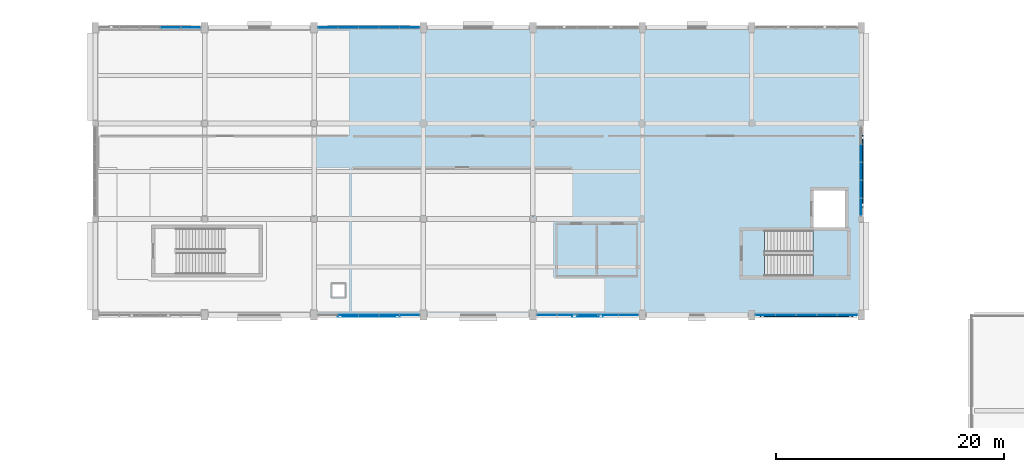
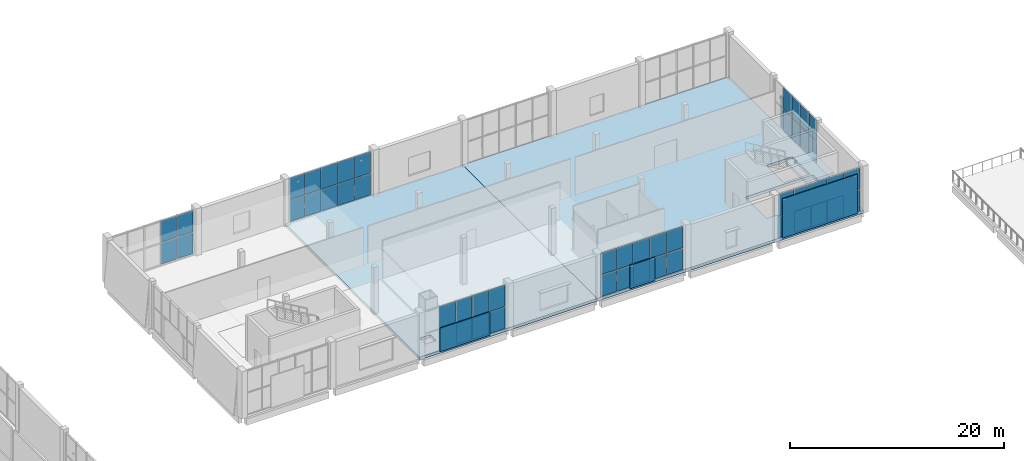
# One storey, part 49 of 83: 54 plates, 3 slabs, 7 elements without a shape of their own.
"""IFC4 building model written with IfcOpenShell, lengths in metres."""

from ifc_helpers import new_model, si_unit, direction, frame, origin, origin_2d, place, context, subcontext, project, spatial, polyline, rectangle, outline, extrude, material, layer, layer_set, type_object, element, aggregate, save


model = new_model("IFC4")

# Units and contexts
model_context = context("Model", 3, precision=1e-05, world=origin(), true_north=direction((0.0, 1.0)))
body_context = subcontext(model_context, "Body", "Model", "MODEL_VIEW")
ifc_project = project(units=[si_unit("LENGTHUNIT", "METRE"), si_unit("AREAUNIT", "SQUARE_METRE"), si_unit("VOLUMEUNIT", "CUBIC_METRE"), si_unit("PLANEANGLEUNIT", "RADIAN"), si_unit("MASSUNIT", "GRAM", prefix="KILO")], contexts=[model_context])

# Site, building, storey
site_placement = place(None, origin())
site = spatial("IfcSite", under=ifc_project, at=site_placement, CompositionType="ELEMENT")
building_placement = place(site_placement, origin())
building = spatial("IfcBuilding", under=site, at=building_placement, Name="Shalvenor Court Art Gallery", CompositionType="ELEMENT")
storey_placement = place(building_placement, frame((0.0, 0.0, 6.0)))
storey = spatial("IfcBuildingStorey", under=building, at=storey_placement, Name="L01", CompositionType="ELEMENT", Elevation=6.0)

# Curtain wall, plates
ifc_material_1 = material(Name="Anodised aluminium and low-iron glass curtain wall", Category="aluminium")
curtain_wall_type_1 = type_object("IfcCurtainWallType", Name="CW-5x2-90-51-442", PredefinedType="USERDEFINED", material=ifc_material_1)
curtain_wall_1_placement = place(storey_placement, origin())
curtain_wall_1 = element("IfcCurtainWall", 1, at=curtain_wall_1_placement, inside=storey, type_object=curtain_wall_type_1, Name="L01 V2 Curtain Wall CW-L01-062", ObjectType="CURTAIN WALL", PredefinedType="USERDEFINED")
ifc_material_2 = material(Name="Low-iron triple-silver solar gallery glazing IGU", Category="glass")
ifc_layer_1 = layer(ifc_material_2, 0.031982421875, Name="Low-iron triple-silver solar gallery glazing IGU")
ifc_layer_set_1 = layer_set([ifc_layer_1], Name="Low-iron triple-silver solar gallery glazing IGU")
plate_type_1 = type_object("IfcPlateType", Name="CWP-02", PredefinedType="CURTAIN_PANEL", material=ifc_layer_set_1)
plate_1_placement = place(storey_placement, frame((64.199951171875, 122.39990234375, 0.070068359375), z_axis=(0.0, 0.0, 1.0), x_axis=(1.0, 0.0, 0.0)))
plate_1 = element("IfcPlate", 2, at=plate_1_placement, type_object=plate_type_1, Name="CW-5x2-90-51-442 panel 4.1", PredefinedType="CURTAIN_PANEL", context=body_context, shape_type="SweptSolid", body=[
    extrude(rectangle(XDim=1.72509765625, YDim=0.031982421875, at=origin_2d()), origin(), (0.0, 0.0, 1.0), 2.43505859375),
])
plate_2_placement = place(storey_placement, frame((64.199951171875, 122.39990234375, 2.574951171875), z_axis=(0.0, 0.0, 1.0), x_axis=(1.0, 0.0, 0.0)))
plate_2 = element("IfcPlate", 3, at=plate_2_placement, type_object=plate_type_1, Name="CW-5x2-90-51-442 panel 4.2", PredefinedType="CURTAIN_PANEL", context=body_context, shape_type="SweptSolid", body=[
    extrude(rectangle(XDim=1.72509765625, YDim=0.031982421875, at=origin_2d()), origin(), (0.0, 0.0, 1.0), 2.43505859375),
])
plate_3_placement = place(storey_placement, frame((65.981201171875, 122.39990234375, 0.070068359375), z_axis=(0.0, 0.0, 1.0), x_axis=(1.0, 0.0, 0.0)))
plate_3 = element("IfcPlate", 4, at=plate_3_placement, type_object=plate_type_1, Name="CW-5x2-90-51-442 panel 5.1", PredefinedType="CURTAIN_PANEL", context=body_context, shape_type="SweptSolid", body=[
    extrude(rectangle(XDim=1.6875, YDim=0.031982421875, at=origin_2d()), origin(), (0.0, 0.0, 1.0), 2.43505859375),
])
plate_4_placement = place(storey_placement, frame((65.981201171875, 122.39990234375, 2.574951171875), z_axis=(0.0, 0.0, 1.0), x_axis=(1.0, 0.0, 0.0)))
plate_4 = element("IfcPlate", 5, at=plate_4_placement, type_object=plate_type_1, Name="CW-5x2-90-51-442 panel 5.2", PredefinedType="CURTAIN_PANEL", context=body_context, shape_type="SweptSolid", body=[
    extrude(rectangle(XDim=1.6875, YDim=0.031982421875, at=origin_2d()), origin(), (0.0, 0.0, 1.0), 2.43505859375),
])
aggregate(curtain_wall_1, [plate_1, plate_2, plate_3, plate_4])

ifc_material_3 = material(Name="Anodised aluminium and low-iron glass curtain wall", Category="aluminium")
curtain_wall_type_2 = type_object("IfcCurtainWallType", Name="CW-5x2-90-51-612", PredefinedType="USERDEFINED", material=ifc_material_3)
curtain_wall_2_placement = place(storey_placement, origin())
curtain_wall_2 = element("IfcCurtainWall", 6, at=curtain_wall_2_placement, inside=storey, type_object=curtain_wall_type_2, Name="L01 V2 Curtain Wall CW-L01-063", ObjectType="CURTAIN WALL", PredefinedType="USERDEFINED")
plate_5_placement = place(storey_placement, frame((78.013671875, 122.39990234375, 0.06005859375), z_axis=(0.0, 0.0, 1.0), x_axis=(1.0, 0.0, 0.0)))
plate_5 = element("IfcPlate", 7, at=plate_5_placement, type_object=plate_type_1, Name="CW-5x2-90-51-612 panel 1.1", PredefinedType="CURTAIN_PANEL", context=body_context, shape_type="SweptSolid", body=[
    extrude(rectangle(XDim=1.717529296875, YDim=0.031982421875, at=origin_2d()), origin(), (0.0, 0.0, 1.0), 2.449951171875),
])
plate_6_placement = place(storey_placement, frame((78.013671875, 122.39990234375, 2.56982421875), z_axis=(0.0, 0.0, 1.0), x_axis=(1.0, 0.0, 0.0)))
plate_6 = element("IfcPlate", 8, at=plate_6_placement, type_object=plate_type_1, Name="CW-5x2-90-51-612 panel 1.2", PredefinedType="CURTAIN_PANEL", context=body_context, shape_type="SweptSolid", body=[
    extrude(rectangle(XDim=1.717529296875, YDim=0.031982421875, at=origin_2d()), origin(), (0.0, 0.0, 1.0), 2.449951171875),
])
plate_7_placement = place(storey_placement, frame((79.800048828125, 122.39990234375, 0.06005859375), z_axis=(0.0, 0.0, 1.0), x_axis=(1.0, 0.0, 0.0)))
plate_7 = element("IfcPlate", 9, at=plate_7_placement, type_object=plate_type_1, Name="CW-5x2-90-51-612 panel 2.1", PredefinedType="CURTAIN_PANEL", context=body_context, shape_type="SweptSolid", body=[
    extrude(rectangle(XDim=1.7451171875, YDim=0.031982421875, at=origin_2d()), origin(), (0.0, 0.0, 1.0), 2.449951171875),
])
plate_8_placement = place(storey_placement, frame((79.800048828125, 122.39990234375, 2.56982421875), z_axis=(0.0, 0.0, 1.0), x_axis=(1.0, 0.0, 0.0)))
plate_8 = element("IfcPlate", 10, at=plate_8_placement, type_object=plate_type_1, Name="CW-5x2-90-51-612 panel 2.2", PredefinedType="CURTAIN_PANEL", context=body_context, shape_type="SweptSolid", body=[
    extrude(rectangle(XDim=1.7451171875, YDim=0.031982421875, at=origin_2d()), origin(), (0.0, 0.0, 1.0), 2.449951171875),
])
plate_9_placement = place(storey_placement, frame((81.60009765625, 122.39990234375, 0.06005859375), z_axis=(0.0, 0.0, 1.0), x_axis=(1.0, 0.0, 0.0)))
plate_9 = element("IfcPlate", 11, at=plate_9_placement, type_object=plate_type_1, Name="CW-5x2-90-51-612 panel 3.1", PredefinedType="CURTAIN_PANEL", context=body_context, shape_type="SweptSolid", body=[
    extrude(rectangle(XDim=1.7451171875, YDim=0.031982421875, at=origin_2d()), origin(), (0.0, 0.0, 1.0), 2.449951171875),
])
plate_10_placement = place(storey_placement, frame((81.60009765625, 122.39990234375, 2.56982421875), z_axis=(0.0, 0.0, 1.0), x_axis=(1.0, 0.0, 0.0)))
plate_10 = element("IfcPlate", 12, at=plate_10_placement, type_object=plate_type_1, Name="CW-5x2-90-51-612 panel 3.2", PredefinedType="CURTAIN_PANEL", context=body_context, shape_type="SweptSolid", body=[
    extrude(rectangle(XDim=1.7451171875, YDim=0.031982421875, at=origin_2d()), origin(), (0.0, 0.0, 1.0), 2.449951171875),
])
plate_11_placement = place(storey_placement, frame((83.39990234375, 122.39990234375, 0.06005859375), z_axis=(0.0, 0.0, 1.0), x_axis=(1.0, 0.0, 0.0)))
plate_11 = element("IfcPlate", 13, at=plate_11_placement, type_object=plate_type_1, Name="CW-5x2-90-51-612 panel 4.1", PredefinedType="CURTAIN_PANEL", context=body_context, shape_type="SweptSolid", body=[
    extrude(rectangle(XDim=1.7451171875, YDim=0.031982421875, at=origin_2d()), origin(), (0.0, 0.0, 1.0), 2.449951171875),
])
plate_12_placement = place(storey_placement, frame((83.39990234375, 122.39990234375, 2.56982421875), z_axis=(0.0, 0.0, 1.0), x_axis=(1.0, 0.0, 0.0)))
plate_12 = element("IfcPlate", 14, at=plate_12_placement, type_object=plate_type_1, Name="CW-5x2-90-51-612 panel 4.2", PredefinedType="CURTAIN_PANEL", context=body_context, shape_type="SweptSolid", body=[
    extrude(rectangle(XDim=1.7451171875, YDim=0.031982421875, at=origin_2d()), origin(), (0.0, 0.0, 1.0), 2.449951171875),
])
plate_13_placement = place(storey_placement, frame((85.186279296875, 122.39990234375, 0.06005859375), z_axis=(0.0, 0.0, 1.0), x_axis=(1.0, 0.0, 0.0)))
plate_13 = element("IfcPlate", 15, at=plate_13_placement, type_object=plate_type_1, Name="CW-5x2-90-51-612 panel 5.1", PredefinedType="CURTAIN_PANEL", context=body_context, shape_type="SweptSolid", body=[
    extrude(rectangle(XDim=1.717529296875, YDim=0.031982421875, at=origin_2d()), origin(), (0.0, 0.0, 1.0), 2.449951171875),
])
plate_14_placement = place(storey_placement, frame((85.186279296875, 122.39990234375, 2.56982421875), z_axis=(0.0, 0.0, 1.0), x_axis=(1.0, 0.0, 0.0)))
plate_14 = element("IfcPlate", 16, at=plate_14_placement, type_object=plate_type_1, Name="CW-5x2-90-51-612 panel 5.2", PredefinedType="CURTAIN_PANEL", context=body_context, shape_type="SweptSolid", body=[
    extrude(rectangle(XDim=1.717529296875, YDim=0.031982421875, at=origin_2d()), origin(), (0.0, 0.0, 1.0), 2.449951171875),
])
aggregate(curtain_wall_2, [plate_5, plate_6, plate_7, plate_8, plate_9, plate_10, plate_11, plate_12, plate_13, plate_14])

ifc_material_4 = material(Name="Anodised aluminium and low-iron glass curtain wall", Category="aluminium")
curtain_wall_type_3 = type_object("IfcCurtainWallType", Name="CW-5x2-79-51-412", PredefinedType="USERDEFINED", material=ifc_material_4)
curtain_wall_3_placement = place(storey_placement, origin())
curtain_wall_3 = element("IfcCurtainWall", 17, at=curtain_wall_3_placement, inside=storey, type_object=curtain_wall_type_3, Name="L01 V2 Curtain Wall CW-L01-066", ObjectType="CURTAIN WALL", PredefinedType="USERDEFINED")
plate_15_placement = place(storey_placement, frame((124.800048828125, 111.3798828125, 0.06005859375), z_axis=(0.0, 0.0, 1.0), x_axis=(0.0, -1.0, 0.0)))
plate_15 = element("IfcPlate", 18, at=plate_15_placement, type_object=plate_type_1, Name="CW-5x2-79-51-412 panel 2.1", PredefinedType="CURTAIN_PANEL", context=body_context, shape_type="SweptSolid", body=[
    extrude(rectangle(XDim=1.5048828125, YDim=0.031982421875, at=origin_2d()), origin(), (0.0, 0.0, 1.0), 2.449951171875),
])
plate_16_placement = place(storey_placement, frame((124.800048828125, 111.3798828125, 2.56982421875), z_axis=(0.0, 0.0, 1.0), x_axis=(0.0, -1.0, 0.0)))
plate_16 = element("IfcPlate", 19, at=plate_16_placement, type_object=plate_type_1, Name="CW-5x2-79-51-412 panel 2.2", PredefinedType="CURTAIN_PANEL", context=body_context, shape_type="SweptSolid", body=[
    extrude(rectangle(XDim=1.5048828125, YDim=0.031982421875, at=origin_2d()), origin(), (0.0, 0.0, 1.0), 2.449951171875),
])
plate_17_placement = place(storey_placement, frame((124.800048828125, 109.800048828125, 0.06005859375), z_axis=(0.0, 0.0, 1.0), x_axis=(0.0, -1.0, 0.0)))
plate_17 = element("IfcPlate", 20, at=plate_17_placement, type_object=plate_type_1, Name="CW-5x2-79-51-412 panel 3.1", PredefinedType="CURTAIN_PANEL", context=body_context, shape_type="SweptSolid", body=[
    extrude(rectangle(XDim=1.5048828125, YDim=0.031982421875, at=origin_2d()), origin(), (0.0, 0.0, 1.0), 2.449951171875),
])
plate_18_placement = place(storey_placement, frame((124.800048828125, 109.800048828125, 2.56982421875), z_axis=(0.0, 0.0, 1.0), x_axis=(0.0, -1.0, 0.0)))
plate_18 = element("IfcPlate", 21, at=plate_18_placement, type_object=plate_type_1, Name="CW-5x2-79-51-412 panel 3.2", PredefinedType="CURTAIN_PANEL", context=body_context, shape_type="SweptSolid", body=[
    extrude(rectangle(XDim=1.5048828125, YDim=0.031982421875, at=origin_2d()), origin(), (0.0, 0.0, 1.0), 2.449951171875),
])
plate_19_placement = place(storey_placement, frame((124.800048828125, 108.219970703125, 0.06005859375), z_axis=(0.0, 0.0, 1.0), x_axis=(0.0, -1.0, 0.0)))
plate_19 = element("IfcPlate", 22, at=plate_19_placement, type_object=plate_type_1, Name="CW-5x2-79-51-412 panel 4.1", PredefinedType="CURTAIN_PANEL", context=body_context, shape_type="SweptSolid", body=[
    extrude(rectangle(XDim=1.5048828125, YDim=0.031982421875, at=origin_2d()), origin(), (0.0, 0.0, 1.0), 2.449951171875),
])
plate_20_placement = place(storey_placement, frame((124.800048828125, 108.219970703125, 2.56982421875), z_axis=(0.0, 0.0, 1.0), x_axis=(0.0, -1.0, 0.0)))
plate_20 = element("IfcPlate", 23, at=plate_20_placement, type_object=plate_type_1, Name="CW-5x2-79-51-412 panel 4.2", PredefinedType="CURTAIN_PANEL", context=body_context, shape_type="SweptSolid", body=[
    extrude(rectangle(XDim=1.5048828125, YDim=0.031982421875, at=origin_2d()), origin(), (0.0, 0.0, 1.0), 2.449951171875),
])
plate_21_placement = place(storey_placement, frame((124.800048828125, 106.65869140625, 0.06005859375), z_axis=(0.0, 0.0, 1.0), x_axis=(0.0, -1.0, 0.0)))
plate_21 = element("IfcPlate", 24, at=plate_21_placement, type_object=plate_type_1, Name="CW-5x2-79-51-412 panel 5.1", PredefinedType="CURTAIN_PANEL", context=body_context, shape_type="SweptSolid", body=[
    extrude(rectangle(XDim=1.467529296875, YDim=0.031982421875, at=origin_2d()), origin(), (0.0, 0.0, 1.0), 2.449951171875),
])
plate_22_placement = place(storey_placement, frame((124.800048828125, 106.65869140625, 2.56982421875), z_axis=(0.0, 0.0, 1.0), x_axis=(0.0, -1.0, 0.0)))
plate_22 = element("IfcPlate", 25, at=plate_22_placement, type_object=plate_type_1, Name="CW-5x2-79-51-412 panel 5.2", PredefinedType="CURTAIN_PANEL", context=body_context, shape_type="SweptSolid", body=[
    extrude(rectangle(XDim=1.467529296875, YDim=0.031982421875, at=origin_2d()), origin(), (0.0, 0.0, 1.0), 2.449951171875),
])
aggregate(curtain_wall_3, [plate_15, plate_16, plate_17, plate_18, plate_19, plate_20, plate_21, plate_22])

ifc_material_5 = material(Name="Anodised aluminium and low-iron glass curtain wall", Category="aluminium")
curtain_wall_type_4 = type_object("IfcCurtainWallType", Name="CW-5x2-90-51-622", PredefinedType="USERDEFINED", material=ifc_material_5)
curtain_wall_4_placement = place(storey_placement, origin())
curtain_wall_4 = element("IfcCurtainWall", 26, at=curtain_wall_4_placement, inside=storey, type_object=curtain_wall_type_4, Name="L01 V2 Curtain Wall CW-L01-067", ObjectType="CURTAIN WALL", PredefinedType="USERDEFINED")
plate_23_placement = place(storey_placement, frame((123.586181640625, 97.199951171875, 0.06494140625), z_axis=(0.0, 0.0, 1.0), x_axis=(-1.0, 0.0, 0.0)))
plate_23 = element("IfcPlate", 27, at=plate_23_placement, type_object=plate_type_1, Name="CW-5x2-90-51-622 panel 1.1", PredefinedType="CURTAIN_PANEL", context=body_context, shape_type="SweptSolid", body=[
    extrude(rectangle(XDim=1.717529296875, YDim=0.031982421875, at=origin_2d()), origin(), (0.0, 0.0, 1.0), 2.4423828125),
])
plate_24_placement = place(storey_placement, frame((123.586181640625, 97.199951171875, 2.572509765625), z_axis=(0.0, 0.0, 1.0), x_axis=(-1.0, 0.0, 0.0)))
plate_24 = element("IfcPlate", 28, at=plate_24_placement, type_object=plate_type_1, Name="CW-5x2-90-51-622 panel 1.2", PredefinedType="CURTAIN_PANEL", context=body_context, shape_type="SweptSolid", body=[
    extrude(rectangle(XDim=1.717529296875, YDim=0.031982421875, at=origin_2d()), origin(), (0.0, 0.0, 1.0), 2.4423828125),
])
plate_25_placement = place(storey_placement, frame((121.800048828125, 97.199951171875, 0.06494140625), z_axis=(0.0, 0.0, 1.0), x_axis=(-1.0, 0.0, 0.0)))
plate_25 = element("IfcPlate", 29, at=plate_25_placement, type_object=plate_type_1, Name="CW-5x2-90-51-622 panel 2.1", PredefinedType="CURTAIN_PANEL", context=body_context, shape_type="SweptSolid", body=[
    extrude(rectangle(XDim=1.7451171875, YDim=0.031982421875, at=origin_2d()), origin(), (0.0, 0.0, 1.0), 2.4423828125),
])
plate_26_placement = place(storey_placement, frame((121.800048828125, 97.199951171875, 2.572509765625), z_axis=(0.0, 0.0, 1.0), x_axis=(-1.0, 0.0, 0.0)))
plate_26 = element("IfcPlate", 30, at=plate_26_placement, type_object=plate_type_1, Name="CW-5x2-90-51-622 panel 2.2", PredefinedType="CURTAIN_PANEL", context=body_context, shape_type="SweptSolid", body=[
    extrude(rectangle(XDim=1.7451171875, YDim=0.031982421875, at=origin_2d()), origin(), (0.0, 0.0, 1.0), 2.4423828125),
])
plate_27_placement = place(storey_placement, frame((120.0, 97.199951171875, 0.06494140625), z_axis=(0.0, 0.0, 1.0), x_axis=(-1.0, 0.0, 0.0)))
plate_27 = element("IfcPlate", 31, at=plate_27_placement, type_object=plate_type_1, Name="CW-5x2-90-51-622 panel 3.1", PredefinedType="CURTAIN_PANEL", context=body_context, shape_type="SweptSolid", body=[
    extrude(rectangle(XDim=1.7451171875, YDim=0.031982421875, at=origin_2d()), origin(), (0.0, 0.0, 1.0), 2.4423828125),
])
plate_28_placement = place(storey_placement, frame((120.0, 97.199951171875, 2.572509765625), z_axis=(0.0, 0.0, 1.0), x_axis=(-1.0, 0.0, 0.0)))
plate_28 = element("IfcPlate", 32, at=plate_28_placement, type_object=plate_type_1, Name="CW-5x2-90-51-622 panel 3.2", PredefinedType="CURTAIN_PANEL", context=body_context, shape_type="SweptSolid", body=[
    extrude(rectangle(XDim=1.7451171875, YDim=0.031982421875, at=origin_2d()), origin(), (0.0, 0.0, 1.0), 2.4423828125),
])
plate_29_placement = place(storey_placement, frame((118.199951171875, 97.199951171875, 0.06494140625), z_axis=(0.0, 0.0, 1.0), x_axis=(-1.0, 0.0, 0.0)))
plate_29 = element("IfcPlate", 33, at=plate_29_placement, type_object=plate_type_1, Name="CW-5x2-90-51-622 panel 4.1", PredefinedType="CURTAIN_PANEL", context=body_context, shape_type="SweptSolid", body=[
    extrude(rectangle(XDim=1.7451171875, YDim=0.031982421875, at=origin_2d()), origin(), (0.0, 0.0, 1.0), 2.4423828125),
])
plate_30_placement = place(storey_placement, frame((118.199951171875, 97.199951171875, 2.572509765625), z_axis=(0.0, 0.0, 1.0), x_axis=(-1.0, 0.0, 0.0)))
plate_30 = element("IfcPlate", 34, at=plate_30_placement, type_object=plate_type_1, Name="CW-5x2-90-51-622 panel 4.2", PredefinedType="CURTAIN_PANEL", context=body_context, shape_type="SweptSolid", body=[
    extrude(rectangle(XDim=1.7451171875, YDim=0.031982421875, at=origin_2d()), origin(), (0.0, 0.0, 1.0), 2.4423828125),
])
plate_31_placement = place(storey_placement, frame((116.413818359375, 97.199951171875, 0.06494140625), z_axis=(0.0, 0.0, 1.0), x_axis=(-1.0, 0.0, 0.0)))
plate_31 = element("IfcPlate", 35, at=plate_31_placement, type_object=plate_type_1, Name="CW-5x2-90-51-622 panel 5.1", PredefinedType="CURTAIN_PANEL", context=body_context, shape_type="SweptSolid", body=[
    extrude(rectangle(XDim=1.717529296875, YDim=0.031982421875, at=origin_2d()), origin(), (0.0, 0.0, 1.0), 2.4423828125),
])
plate_32_placement = place(storey_placement, frame((116.413818359375, 97.199951171875, 2.572509765625), z_axis=(0.0, 0.0, 1.0), x_axis=(-1.0, 0.0, 0.0)))
plate_32 = element("IfcPlate", 36, at=plate_32_placement, type_object=plate_type_1, Name="CW-5x2-90-51-622 panel 5.2", PredefinedType="CURTAIN_PANEL", context=body_context, shape_type="SweptSolid", body=[
    extrude(rectangle(XDim=1.717529296875, YDim=0.031982421875, at=origin_2d()), origin(), (0.0, 0.0, 1.0), 2.4423828125),
])
aggregate(curtain_wall_4, [plate_23, plate_24, plate_25, plate_26, plate_27, plate_28, plate_29, plate_30, plate_31, plate_32])

ifc_material_6 = material(Name="Anodised aluminium and low-iron glass curtain wall", Category="aluminium")
curtain_wall_type_5 = type_object("IfcCurtainWallType", Name="CW-5x2-90-51-142", PredefinedType="USERDEFINED", material=ifc_material_6)
curtain_wall_5_placement = place(storey_placement, origin())
curtain_wall_5 = element("IfcCurtainWall", 37, at=curtain_wall_5_placement, inside=storey, type_object=curtain_wall_type_5, Name="L01 V2 Curtain Wall CW-L01-068", ObjectType="CURTAIN WALL", PredefinedType="USERDEFINED")
plate_33_placement = place(storey_placement, frame((104.3837890625, 97.199951171875, 0.070068359375), z_axis=(0.0, 0.0, 1.0), x_axis=(-1.0, 0.0, 0.0)))
plate_33 = element("IfcPlate", 38, at=plate_33_placement, type_object=plate_type_1, Name="CW-5x2-90-51-142 panel 1.1", PredefinedType="CURTAIN_PANEL", context=body_context, shape_type="SweptSolid", body=[
    extrude(rectangle(XDim=1.702392578125, YDim=0.031982421875, at=origin_2d()), origin(), (0.0, 0.0, 1.0), 2.43505859375),
])
plate_34_placement = place(storey_placement, frame((104.3837890625, 97.199951171875, 2.574951171875), z_axis=(0.0, 0.0, 1.0), x_axis=(-1.0, 0.0, 0.0)))
plate_34 = element("IfcPlate", 39, at=plate_34_placement, type_object=plate_type_1, Name="CW-5x2-90-51-142 panel 1.2", PredefinedType="CURTAIN_PANEL", context=body_context, shape_type="SweptSolid", body=[
    extrude(rectangle(XDim=1.702392578125, YDim=0.031982421875, at=origin_2d()), origin(), (0.0, 0.0, 1.0), 2.43505859375),
])
plate_35_placement = place(storey_placement, frame((102.60009765625, 97.199951171875, 0.070068359375), z_axis=(0.0, 0.0, 1.0), x_axis=(-1.0, 0.0, 0.0)))
plate_35 = element("IfcPlate", 40, at=plate_35_placement, type_object=plate_type_1, Name="CW-5x2-90-51-142 panel 2.1", PredefinedType="CURTAIN_PANEL", context=body_context, shape_type="SweptSolid", body=[
    extrude(rectangle(XDim=1.735107421875, YDim=0.031982421875, at=origin_2d()), origin(), (0.0, 0.0, 1.0), 2.43505859375),
])
plate_36_placement = place(storey_placement, frame((102.60009765625, 97.199951171875, 2.574951171875), z_axis=(0.0, 0.0, 1.0), x_axis=(-1.0, 0.0, 0.0)))
plate_36 = element("IfcPlate", 41, at=plate_36_placement, type_object=plate_type_1, Name="CW-5x2-90-51-142 panel 2.2", PredefinedType="CURTAIN_PANEL", context=body_context, shape_type="SweptSolid", body=[
    extrude(rectangle(XDim=1.735107421875, YDim=0.031982421875, at=origin_2d()), origin(), (0.0, 0.0, 1.0), 2.43505859375),
])
plate_37_placement = place(storey_placement, frame((100.800048828125, 97.199951171875, 0.070068359375), z_axis=(0.0, 0.0, 1.0), x_axis=(-1.0, 0.0, 0.0)))
plate_37 = element("IfcPlate", 42, at=plate_37_placement, type_object=plate_type_1, Name="CW-5x2-90-51-142 panel 3.1", PredefinedType="CURTAIN_PANEL", context=body_context, shape_type="SweptSolid", body=[
    extrude(rectangle(XDim=1.735107421875, YDim=0.031982421875, at=origin_2d()), origin(), (0.0, 0.0, 1.0), 2.43505859375),
])
plate_38_placement = place(storey_placement, frame((100.800048828125, 97.199951171875, 2.574951171875), z_axis=(0.0, 0.0, 1.0), x_axis=(-1.0, 0.0, 0.0)))
plate_38 = element("IfcPlate", 43, at=plate_38_placement, type_object=plate_type_1, Name="CW-5x2-90-51-142 panel 3.2", PredefinedType="CURTAIN_PANEL", context=body_context, shape_type="SweptSolid", body=[
    extrude(rectangle(XDim=1.735107421875, YDim=0.031982421875, at=origin_2d()), origin(), (0.0, 0.0, 1.0), 2.43505859375),
])
plate_39_placement = place(storey_placement, frame((99.0, 97.199951171875, 0.070068359375), z_axis=(0.0, 0.0, 1.0), x_axis=(-1.0, 0.0, 0.0)))
plate_39 = element("IfcPlate", 44, at=plate_39_placement, type_object=plate_type_1, Name="CW-5x2-90-51-142 panel 4.1", PredefinedType="CURTAIN_PANEL", context=body_context, shape_type="SweptSolid", body=[
    extrude(rectangle(XDim=1.735107421875, YDim=0.031982421875, at=origin_2d()), origin(), (0.0, 0.0, 1.0), 2.43505859375),
])
plate_40_placement = place(storey_placement, frame((99.0, 97.199951171875, 2.574951171875), z_axis=(0.0, 0.0, 1.0), x_axis=(-1.0, 0.0, 0.0)))
plate_40 = element("IfcPlate", 45, at=plate_40_placement, type_object=plate_type_1, Name="CW-5x2-90-51-142 panel 4.2", PredefinedType="CURTAIN_PANEL", context=body_context, shape_type="SweptSolid", body=[
    extrude(rectangle(XDim=1.735107421875, YDim=0.031982421875, at=origin_2d()), origin(), (0.0, 0.0, 1.0), 2.43505859375),
])
plate_41_placement = place(storey_placement, frame((97.21630859375, 97.199951171875, 0.070068359375), z_axis=(0.0, 0.0, 1.0), x_axis=(-1.0, 0.0, 0.0)))
plate_41 = element("IfcPlate", 46, at=plate_41_placement, type_object=plate_type_1, Name="CW-5x2-90-51-142 panel 5.1", PredefinedType="CURTAIN_PANEL", context=body_context, shape_type="SweptSolid", body=[
    extrude(rectangle(XDim=1.702392578125, YDim=0.031982421875, at=origin_2d()), origin(), (0.0, 0.0, 1.0), 2.43505859375),
])
plate_42_placement = place(storey_placement, frame((97.21630859375, 97.199951171875, 2.574951171875), z_axis=(0.0, 0.0, 1.0), x_axis=(-1.0, 0.0, 0.0)))
plate_42 = element("IfcPlate", 47, at=plate_42_placement, type_object=plate_type_1, Name="CW-5x2-90-51-142 panel 5.2", PredefinedType="CURTAIN_PANEL", context=body_context, shape_type="SweptSolid", body=[
    extrude(rectangle(XDim=1.702392578125, YDim=0.031982421875, at=origin_2d()), origin(), (0.0, 0.0, 1.0), 2.43505859375),
])
aggregate(curtain_wall_5, [plate_33, plate_34, plate_35, plate_36, plate_37, plate_38, plate_39, plate_40, plate_41, plate_42])

ifc_material_7 = material(Name="Anodised aluminium and low-iron glass curtain wall", Category="aluminium")
curtain_wall_type_6 = type_object("IfcCurtainWallType", Name="CW-5x2-90-51-212", PredefinedType="USERDEFINED", material=ifc_material_7)
curtain_wall_6_placement = place(storey_placement, origin())
curtain_wall_6 = element("IfcCurtainWall", 48, at=curtain_wall_6_placement, inside=storey, type_object=curtain_wall_type_6, Name="L01 V2 Curtain Wall CW-L01-069", ObjectType="CURTAIN WALL", PredefinedType="USERDEFINED")
plate_43_placement = place(storey_placement, frame((85.1826171875, 97.199951171875, 0.06005859375), z_axis=(0.0, 0.0, 1.0), x_axis=(-1.0, 0.0, 0.0)))
plate_43 = element("IfcPlate", 49, at=plate_43_placement, type_object=plate_type_1, Name="CW-5x2-90-51-212 panel 1.1", PredefinedType="CURTAIN_PANEL", context=body_context, shape_type="SweptSolid", body=[
    extrude(rectangle(XDim=1.695068359375, YDim=0.031982421875, at=origin_2d()), origin(), (0.0, 0.0, 1.0), 2.449951171875),
])
plate_44_placement = place(storey_placement, frame((85.1826171875, 97.199951171875, 2.56982421875), z_axis=(0.0, 0.0, 1.0), x_axis=(-1.0, 0.0, 0.0)))
plate_44 = element("IfcPlate", 50, at=plate_44_placement, type_object=plate_type_1, Name="CW-5x2-90-51-212 panel 1.2", PredefinedType="CURTAIN_PANEL", context=body_context, shape_type="SweptSolid", body=[
    extrude(rectangle(XDim=1.695068359375, YDim=0.031982421875, at=origin_2d()), origin(), (0.0, 0.0, 1.0), 2.449951171875),
])
plate_45_placement = place(storey_placement, frame((83.39990234375, 97.199951171875, 0.06005859375), z_axis=(0.0, 0.0, 1.0), x_axis=(-1.0, 0.0, 0.0)))
plate_45 = element("IfcPlate", 51, at=plate_45_placement, type_object=plate_type_1, Name="CW-5x2-90-51-212 panel 2.1", PredefinedType="CURTAIN_PANEL", context=body_context, shape_type="SweptSolid", body=[
    extrude(rectangle(XDim=1.72998046875, YDim=0.031982421875, at=origin_2d()), origin(), (0.0, 0.0, 1.0), 2.449951171875),
])
plate_46_placement = place(storey_placement, frame((83.39990234375, 97.199951171875, 2.56982421875), z_axis=(0.0, 0.0, 1.0), x_axis=(-1.0, 0.0, 0.0)))
plate_46 = element("IfcPlate", 52, at=plate_46_placement, type_object=plate_type_1, Name="CW-5x2-90-51-212 panel 2.2", PredefinedType="CURTAIN_PANEL", context=body_context, shape_type="SweptSolid", body=[
    extrude(rectangle(XDim=1.72998046875, YDim=0.031982421875, at=origin_2d()), origin(), (0.0, 0.0, 1.0), 2.449951171875),
])
plate_47_placement = place(storey_placement, frame((81.60009765625, 97.199951171875, 0.06005859375), z_axis=(0.0, 0.0, 1.0), x_axis=(-1.0, 0.0, 0.0)))
plate_47 = element("IfcPlate", 53, at=plate_47_placement, type_object=plate_type_1, Name="CW-5x2-90-51-212 panel 3.1", PredefinedType="CURTAIN_PANEL", context=body_context, shape_type="SweptSolid", body=[
    extrude(rectangle(XDim=1.72998046875, YDim=0.031982421875, at=origin_2d()), origin(), (0.0, 0.0, 1.0), 2.449951171875),
])
plate_48_placement = place(storey_placement, frame((81.60009765625, 97.199951171875, 2.56982421875), z_axis=(0.0, 0.0, 1.0), x_axis=(-1.0, 0.0, 0.0)))
plate_48 = element("IfcPlate", 54, at=plate_48_placement, type_object=plate_type_1, Name="CW-5x2-90-51-212 panel 3.2", PredefinedType="CURTAIN_PANEL", context=body_context, shape_type="SweptSolid", body=[
    extrude(rectangle(XDim=1.72998046875, YDim=0.031982421875, at=origin_2d()), origin(), (0.0, 0.0, 1.0), 2.449951171875),
])
plate_49_placement = place(storey_placement, frame((79.800048828125, 97.199951171875, 2.56982421875), z_axis=(0.0, 0.0, 1.0), x_axis=(-1.0, 0.0, 0.0)))
plate_49 = element("IfcPlate", 55, at=plate_49_placement, type_object=plate_type_1, Name="CW-5x2-90-51-212 panel 4.2", PredefinedType="CURTAIN_PANEL", context=body_context, shape_type="SweptSolid", body=[
    extrude(rectangle(XDim=1.72998046875, YDim=0.031982421875, at=origin_2d()), origin(), (0.0, 0.0, 1.0), 2.449951171875),
])
aggregate(curtain_wall_6, [plate_43, plate_44, plate_45, plate_46, plate_47, plate_48, plate_49])

# Slabs
ifc_material_8 = material(Name="Concrete C40/50", Category="concrete")
ifc_layer_2 = layer(ifc_material_8, 0.320068359375, Name="Concrete C40/50")
ifc_layer_set_2 = layer_set([ifc_layer_2], Name="Concrete C40/50")
slab_type_1 = type_object("IfcSlabType", Name="FS-320", PredefinedType="FLOOR", material=ifc_layer_set_2)
slab_1_placement = place(storey_placement, frame((0.0, 0.0, -0.320068359375)))
element("IfcSlab", 56, at=slab_1_placement, inside=storey, type_object=slab_type_1, Name="L01 V2 Floor Slab 2", PredefinedType="FLOOR", context=body_context, shape_type="SweptSolid", body=[
    extrude(outline(polyline([(76.800048828125, 97.199951171875), (76.800048828125, 122.39990234375), (96.0, 122.39990234375), (96.0, 97.199951171875), (76.800048828125, 97.199951171875)]), holes=[polyline([(78.39990234375, 98.800048828125), (79.5, 98.800048828125), (79.5, 99.89990234375), (78.39990234375, 99.89990234375), (78.39990234375, 98.800048828125)])]), origin(), (0.0, 0.0, 1.0), 0.320068359375),
])
slab_2_placement = place(storey_placement, frame((0.0, 0.0, -0.320068359375)))
element("IfcSlab", 57, at=slab_2_placement, inside=storey, type_object=slab_type_1, Name="L01 V2 Floor Slab 3", PredefinedType="FLOOR", context=body_context, shape_type="SweptSolid", body=[
    extrude(outline(polyline([(124.800048828125, 97.199951171875), (96.0, 97.199951171875), (96.0, 122.39990234375), (124.800048828125, 122.39990234375), (124.800048828125, 97.199951171875)]), holes=[polyline([(123.60009765625, 100.60009765625), (123.60009765625, 104.60009765625), (116.31103515625, 104.60009765625), (116.31103515625, 100.60009765625), (123.60009765625, 100.60009765625)]), polyline([(120.60009765625, 108.10009765625), (120.60009765625, 104.8720703125), (123.39990234375, 104.8720703125), (123.39990234375, 108.10009765625), (120.60009765625, 108.10009765625)])]), origin(), (0.0, 0.0, 1.0), 0.320068359375),
])

# Plates
ifc_material_9 = material(Name="Perforated pale limestone GRC lattice", Category="masonry")
ifc_layer_3 = layer(ifc_material_9, 0.090087890625, Name="Perforated pale limestone GRC lattice")
ifc_layer_set_3 = layer_set([ifc_layer_3], Name="Perforated pale limestone GRC lattice")
plate_type_2 = type_object("IfcPlateType", Name="SCR-05", PredefinedType="USERDEFINED", material=ifc_layer_set_3)
plate_50_placement = place(storey_placement, frame((124.952880859375, 109.800048828125, 0.0), z_axis=(0.0, 0.0, 1.0), x_axis=(0.0, -1.0, 0.0)))
element("IfcPlate", 58, at=plate_50_placement, inside=storey, type_object=plate_type_2, Name="L01 V2 Perforated Stone Lattice Screen PLT-SCR-0053", ObjectType="SCREEN", PredefinedType="USERDEFINED", context=body_context, shape_type="SweptSolid", body=[
    extrude(rectangle(XDim=6.300048828125, YDim=0.090087890625, at=origin_2d()), origin(), (0.0, 0.0, 1.0), 3.60009765625),
])
ifc_material_10 = material(Name="Perforated pale limestone GRC lattice", Category="masonry")
ifc_layer_4 = layer(ifc_material_10, 0.090087890625, Name="Perforated pale limestone GRC lattice")
ifc_layer_set_4 = layer_set([ifc_layer_4], Name="Perforated pale limestone GRC lattice")
plate_type_3 = type_object("IfcPlateType", Name="SCR-08", PredefinedType="USERDEFINED", material=ifc_layer_set_4)
plate_51_placement = place(storey_placement, frame((81.60009765625, 122.512939453125, 0.0), z_axis=(0.0, 0.0, 1.0), x_axis=(1.0, 0.0, 0.0)))
element("IfcPlate", 59, at=plate_51_placement, inside=storey, type_object=plate_type_3, Name="L01 V2 Perforated Stone Lattice Screen PLT-SCR-0050", ObjectType="SCREEN", PredefinedType="USERDEFINED", context=body_context, shape_type="SweptSolid", body=[
    extrude(rectangle(XDim=7.199951171875, YDim=0.090087890625, at=origin_2d()), origin(), (0.0, 0.0, 1.0), 4.5),
])
ifc_material_11 = material(Name="Perforated pale limestone GRC lattice", Category="masonry")
ifc_layer_5 = layer(ifc_material_11, 0.094970703125, Name="Perforated pale limestone GRC lattice")
ifc_layer_set_5 = layer_set([ifc_layer_5], Name="Perforated pale limestone GRC lattice")
plate_type_4 = type_object("IfcPlateType", Name="SCR-12", PredefinedType="USERDEFINED", material=ifc_layer_set_5)
plate_52_placement = place(storey_placement, frame((120.0, 97.08447265625, 0.0), z_axis=(0.0, 0.0, 1.0), x_axis=(-1.0, 0.0, 0.0)))
element("IfcPlate", 60, at=plate_52_placement, inside=storey, type_object=plate_type_4, Name="L01 V2 Perforated Stone Lattice Screen PLT-SCR-0054", ObjectType="SCREEN", PredefinedType="USERDEFINED", context=body_context, shape_type="SweptSolid", body=[
    extrude(rectangle(XDim=8.10009765625, YDim=0.094970703125, at=origin_2d()), origin(), (0.0, 0.0, 1.0), 4.5),
])
ifc_material_12 = material(Name="Perforated pale limestone GRC lattice", Category="masonry")
ifc_layer_6 = layer(ifc_material_12, 0.0849609375, Name="Perforated pale limestone GRC lattice")
ifc_layer_set_6 = layer_set([ifc_layer_6], Name="Perforated pale limestone GRC lattice")
plate_type_5 = type_object("IfcPlateType", Name="SCR-13", PredefinedType="USERDEFINED", material=ifc_layer_set_6)
plate_53_placement = place(storey_placement, frame((100.800048828125, 97.069580078125, 0.0), z_axis=(0.0, 0.0, 1.0), x_axis=(-1.0, 0.0, 0.0)))
element("IfcPlate", 61, at=plate_53_placement, inside=storey, type_object=plate_type_5, Name="L01 V2 Perforated Stone Lattice Screen PLT-SCR-0055", ObjectType="SCREEN", PredefinedType="USERDEFINED", context=body_context, shape_type="SweptSolid", body=[
    extrude(rectangle(XDim=2.699951171875, YDim=0.0849609375, at=origin_2d()), origin(), (0.0, 0.0, 1.0), 2.699951171875),
])
ifc_material_13 = material(Name="Perforated pale limestone GRC lattice", Category="masonry")
ifc_layer_7 = layer(ifc_material_13, 0.0849609375, Name="Perforated pale limestone GRC lattice")
ifc_layer_set_7 = layer_set([ifc_layer_7], Name="Perforated pale limestone GRC lattice")
plate_type_6 = type_object("IfcPlateType", Name="SCR-14", PredefinedType="USERDEFINED", material=ifc_layer_set_7)
plate_54_placement = place(storey_placement, frame((81.60009765625, 97.0595703125, 0.0), z_axis=(0.0, 0.0, 1.0), x_axis=(-1.0, 0.0, 0.0)))
element("IfcPlate", 62, at=plate_54_placement, inside=storey, type_object=plate_type_6, Name="L01 V2 Perforated Stone Lattice Screen PLT-SCR-0056", ObjectType="SCREEN", PredefinedType="USERDEFINED", context=body_context, shape_type="SweptSolid", body=[
    extrude(rectangle(XDim=5.39990234375, YDim=0.0849609375, at=origin_2d()), origin(), (0.0, 0.0, 1.0), 2.699951171875),
])

# Stair, slab
ifc_material_14 = material(Name="Concrete C40/50", Category="concrete")
stair_type = type_object("IfcStairType", Name="ST-DL-32R-1900", PredefinedType="HALF_TURN_STAIR", material=ifc_material_14)
stair_placement = place(storey_placement, origin())
stair = element("IfcStair", 63, at=stair_placement, inside=storey, type_object=stair_type, Name="L01 Core Dogleg Stair ST-05", PredefinedType="HALF_TURN_STAIR")
ifc_material_15 = material(Name="Concrete C40/50", Category="concrete")
ifc_layer_8 = layer(ifc_material_15, 0.300048828125, Name="Concrete C40/50")
ifc_layer_set_8 = layer_set([ifc_layer_8], Name="Concrete C40/50")
slab_type_2 = type_object("IfcSlabType", Name="SLD-300", PredefinedType="LANDING", material=ifc_layer_set_8)
slab_3_placement = place(storey_placement, frame((0.0, 0.0, 2.39990234375)))
slab_3 = element("IfcSlab", 64, at=slab_3_placement, type_object=slab_type_2, Name="ST-DL-32R-1900 landing 1", PredefinedType="LANDING", context=body_context, shape_type="SweptSolid", body=[
    extrude(outline(polyline([(120.574951171875, 100.60009765625), (123.60009765625, 100.60009765625), (123.60009765625, 104.60009765625), (120.574951171875, 104.60009765625), (120.574951171875, 100.60009765625)])), origin(), (0.0, 0.0, 1.0), 0.300048828125),
])
aggregate(stair, [slab_3])

save(model, "model.ifc")
